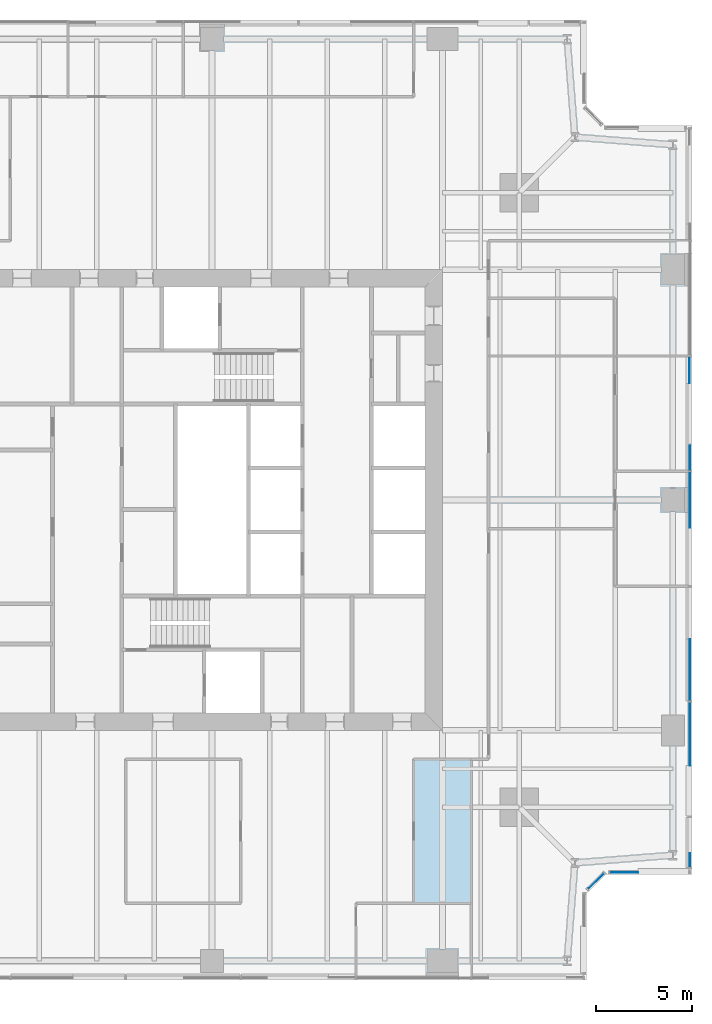
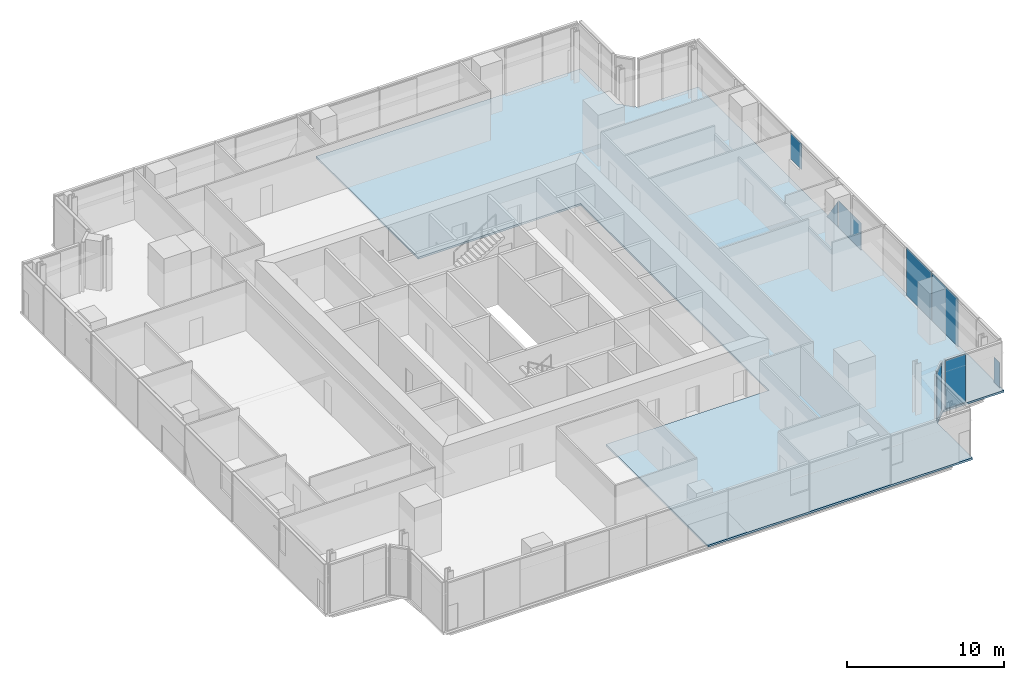
# One storey, part 9 of 16: 8 plates, 1 slab, 3 elements without a shape of their own.
"""IFC4 building model written with IfcOpenShell, lengths in metres."""

from ifc_helpers import new_model, si_unit, direction, frame, origin, origin_2d, place, context, subcontext, project, spatial, polyline, rectangle, outline, extrude, material, layer, layer_set, type_object, element, aggregate, save


model = new_model("IFC4")

# Units and contexts
model_context = context("Model", 3, precision=1e-05, world=origin(), true_north=direction((0.0, 1.0)))
body_context = subcontext(model_context, "Body", "Model", "MODEL_VIEW")
ifc_project = project(units=[si_unit("LENGTHUNIT", "METRE"), si_unit("AREAUNIT", "SQUARE_METRE"), si_unit("VOLUMEUNIT", "CUBIC_METRE"), si_unit("PLANEANGLEUNIT", "RADIAN"), si_unit("MASSUNIT", "GRAM", prefix="KILO")], contexts=[model_context])

# Site, building, storey
site_placement = place(None, origin())
site = spatial("IfcSite", under=ifc_project, at=site_placement, CompositionType="ELEMENT")
building_placement = place(site_placement, origin())
building = spatial("IfcBuilding", under=site, at=building_placement, Name="Fenwick Lantern Interchange", CompositionType="ELEMENT")
storey_placement = place(building_placement, frame((0.0, 0.0, 177.800048828125)))
storey = spatial("IfcBuildingStorey", under=building, at=storey_placement, Name="L41", CompositionType="ELEMENT", Elevation=177.800048828125)

# Slab
ifc_material_1 = material(Name="Concrete f'c 35 MPa", Category="concrete")
ifc_layer_1 = layer(ifc_material_1, 0.14990234375)
ifc_layer_set_1 = layer_set([ifc_layer_1], Name="Concrete f'c 35 MPa")
slab_type = type_object("IfcSlabType", Name="FLOOR SLAB 150", PredefinedType="FLOOR", material=ifc_layer_set_1)
slab_placement = place(storey_placement, frame((0.0, 0.0, -0.150146484375)))
element("IfcSlab", 1, at=slab_placement, inside=storey, type_object=slab_type, Name="L41/SLAB/FE", PredefinedType="FLOOR", context=body_context, shape_type="SweptSolid", body=[
    extrude(outline(polyline([(44.5, 50.0), (44.5, 45.5), (45.5, 44.5), (50.0, 44.5), (50.0, 5.5), (45.5, 5.5), (44.5, 4.5), (44.5, 0.0), (25.0, 0.0), (25.0, 13.0), (37.0, 13.0), (37.0, 37.0), (25.0, 37.0), (25.0, 50.0), (44.5, 50.0)])), origin(), (0.0, 0.0, 1.0), 0.150146484375),
])

# Curtain wall, plate
ifc_material_2 = material(Name="Aluminium curtain wall frame", Category="aluminium")
curtain_wall_type = type_object("IfcCurtainWallType", Name="OFFICE CURTAIN WALL", PredefinedType="USERDEFINED", material=ifc_material_2)
curtain_wall_1_placement = place(storey_placement, origin())
curtain_wall_1 = element("IfcCurtainWall", 2, at=curtain_wall_1_placement, inside=storey, type_object=curtain_wall_type, Name="Office curtain wall 03", ObjectType="OFFICE CURTAIN WALL", PredefinedType="USERDEFINED")
ifc_material_3 = material(Name="Vision glass, clear low-iron double glazed", Category="glass")
ifc_layer_2 = layer(ifc_material_3, 0.031982421875)
ifc_layer_set_2 = layer_set([ifc_layer_2], Name="OFFICE CURTAIN WALL PANEL 32")
plate_type = type_object("IfcPlateType", Name="OFFICE CURTAIN WALL PANEL 32", PredefinedType="CURTAIN_PANEL", material=ifc_layer_set_2)
plate_1_placement = place(storey_placement, frame((45.0, 5.141357421875, 0.0), z_axis=(0.0, 0.0, 1.0), x_axis=(0.707106781187, 0.707106781187, 0.0)))
plate_1 = element("IfcPlate", 3, at=plate_1_placement, type_object=plate_type, Name="L41/CW/03/P00", PredefinedType="CURTAIN_PANEL", context=body_context, shape_type="SweptSolid", body=[
    extrude(rectangle(XDim=1.1669921875, YDim=0.031982421875, at=origin_2d()), origin(), (0.0, 0.0, 1.0), 3.75),
])
aggregate(curtain_wall_1, [plate_1])

curtain_wall_2_placement = place(storey_placement, origin())
curtain_wall_2 = element("IfcCurtainWall", 4, at=curtain_wall_2_placement, inside=storey, type_object=curtain_wall_type, Name="Office curtain wall 04", ObjectType="OFFICE CURTAIN WALL", PredefinedType="USERDEFINED")
plate_2_placement = place(storey_placement, frame((45.45849609375, 5.60009765625, 0.0), z_axis=(0.0, 0.0, 1.0), x_axis=(1.0, 0.0, 0.0)))
plate_2 = element("IfcPlate", 5, at=plate_2_placement, type_object=plate_type, Name="L41/CW/04/P00a", PredefinedType="CURTAIN_PANEL", context=body_context, shape_type="SweptSolid", body=[
    extrude(outline(polyline([(0.264892578125, 0.0), (1.741455078125, 0.0), (1.741455078125, 3.75), (0.264892578125, 3.75), (0.264892578125, 0.0)])), frame((0.0, 0.01611328125, 0.0), z_axis=(0.0, -1.0, 0.0), x_axis=(1.0, 0.0, 0.0)), (0.0, 0.0, 1.0), 0.031982421875),
])
aggregate(curtain_wall_2, [plate_2])

# Curtain wall, plates
curtain_wall_3_placement = place(storey_placement, origin())
curtain_wall_3 = element("IfcCurtainWall", 6, at=curtain_wall_3_placement, inside=storey, type_object=curtain_wall_type, Name="Office curtain wall 05", ObjectType="OFFICE CURTAIN WALL", PredefinedType="USERDEFINED")
plate_3_placement = place(storey_placement, frame((49.89990234375, 5.60009765625, 0.0), z_axis=(0.0, 0.0, 1.0), x_axis=(0.0, 1.0, 0.0)))
plate_3 = element("IfcPlate", 7, at=plate_3_placement, type_object=plate_type, Name="L41/CW/05/P00a", PredefinedType="CURTAIN_PANEL", context=body_context, shape_type="SweptSolid", body=[
    extrude(outline(polyline([(0.264892578125, 0.0), (0.9951171875, 0.0), (0.9951171875, 1.970947265625), (0.264892578125, 1.970947265625), (0.264892578125, 0.0)])), frame((0.0, 0.01611328125, 0.0), z_axis=(0.0, -1.0, 0.0), x_axis=(1.0, 0.0, 0.0)), (0.0, 0.0, 1.0), 0.031982421875),
])
plate_4_placement = place(storey_placement, frame((49.89990234375, 5.60009765625, 0.0), z_axis=(0.0, 0.0, 1.0), x_axis=(0.0, 1.0, 0.0)))
plate_4 = element("IfcPlate", 8, at=plate_4_placement, type_object=plate_type, Name="L41/CW/05/P01a", PredefinedType="CURTAIN_PANEL", context=body_context, shape_type="SweptSolid", body=[
    extrude(outline(polyline([(5.5693359375, 0.0), (8.867431640625, 0.0), (8.867431640625, 3.75), (5.5693359375, 3.75), (5.5693359375, 0.0)])), frame((0.0, 0.01611328125, 0.0), z_axis=(0.0, -1.0, 0.0), x_axis=(1.0, 0.0, 0.0)), (0.0, 0.0, 1.0), 0.031982421875),
])
plate_5_placement = place(storey_placement, frame((49.89990234375, 5.60009765625, 0.004638671875), z_axis=(0.0, 0.0, 1.0), x_axis=(0.0, 1.0, 0.0)))
plate_5 = element("IfcPlate", 9, at=plate_5_placement, type_object=plate_type, Name="L41/CW/05/P02a", PredefinedType="CURTAIN_PANEL", context=body_context, shape_type="SweptSolid", body=[
    extrude(outline(polyline([(8.9326171875, 0.0), (12.1474609375, 0.0), (12.1474609375, 3.745361328125), (8.9326171875, 3.745361328125), (8.9326171875, 0.0)])), frame((0.0, 0.01611328125, 0.0), z_axis=(0.0, -1.0, 0.0), x_axis=(1.0, 0.0, 0.0)), (0.0, 0.0, 1.0), 0.031982421875),
])
plate_6_placement = place(storey_placement, frame((49.89990234375, 5.60009765625, 0.0), z_axis=(0.0, 0.0, 1.0), x_axis=(0.0, 1.0, 0.0)))
plate_6 = element("IfcPlate", 10, at=plate_6_placement, type_object=plate_type, Name="L41/CW/05/P03a", PredefinedType="CURTAIN_PANEL", context=body_context, shape_type="SweptSolid", body=[
    extrude(outline(polyline([(17.955078125, 0.0), (20.84521484375, 0.0), (20.84521484375, 2.105712890625), (17.955078125, 2.105712890625), (17.955078125, 0.0)])), frame((0.0, 0.01611328125, 0.0), z_axis=(0.0, -1.0, 0.0), x_axis=(1.0, 0.0, 0.0)), (0.0, 0.0, 1.0), 0.031982421875),
])
plate_7_placement = place(storey_placement, frame((49.89990234375, 5.60009765625, 0.0), z_axis=(0.0, 0.0, 1.0), x_axis=(0.0, 1.0, 0.0)))
plate_7 = element("IfcPlate", 11, at=plate_7_placement, type_object=plate_type, Name="L41/CW/05/P04a", PredefinedType="CURTAIN_PANEL", context=body_context, shape_type="SweptSolid", body=[
    extrude(outline(polyline([(20.9326171875, 0.0), (22.289794921875, 0.0), (20.9326171875, 1.978515625), (20.9326171875, 0.0)])), frame((0.0, 0.01611328125, 0.0), z_axis=(0.0, -1.0, 0.0), x_axis=(1.0, 0.0, 0.0)), (0.0, 0.0, 1.0), 0.031982421875),
])
plate_8_placement = place(storey_placement, frame((49.89990234375, 5.60009765625, 1.723876953125), z_axis=(0.0, 0.0, 1.0), x_axis=(0.0, 1.0, 0.0)))
plate_8 = element("IfcPlate", 12, at=plate_8_placement, type_object=plate_type, Name="L41/CW/05/P04b", PredefinedType="CURTAIN_PANEL", context=body_context, shape_type="SweptSolid", body=[
    extrude(outline(polyline([(25.472900390625, 0.0), (26.867431640625, 0.0), (26.867431640625, 2.026123046875), (25.472900390625, 2.026123046875), (25.472900390625, 0.0)])), frame((0.0, 0.0498046875, 0.0), z_axis=(0.0, -1.0, 0.0), x_axis=(1.0, 0.0, 0.0)), (0.0, 0.0, 1.0), 0.031982421875),
])
aggregate(curtain_wall_3, [plate_3, plate_4, plate_5, plate_6, plate_7, plate_8])

save(model, "model.ifc")
